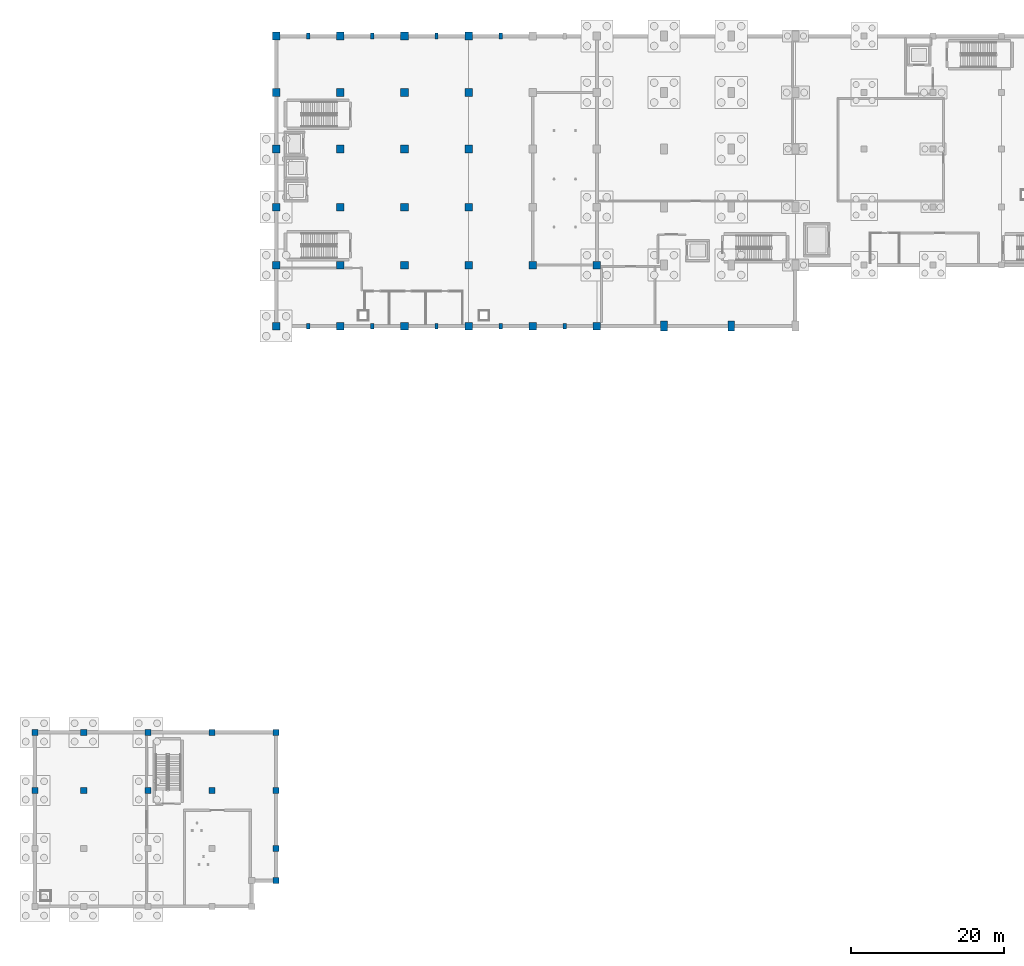
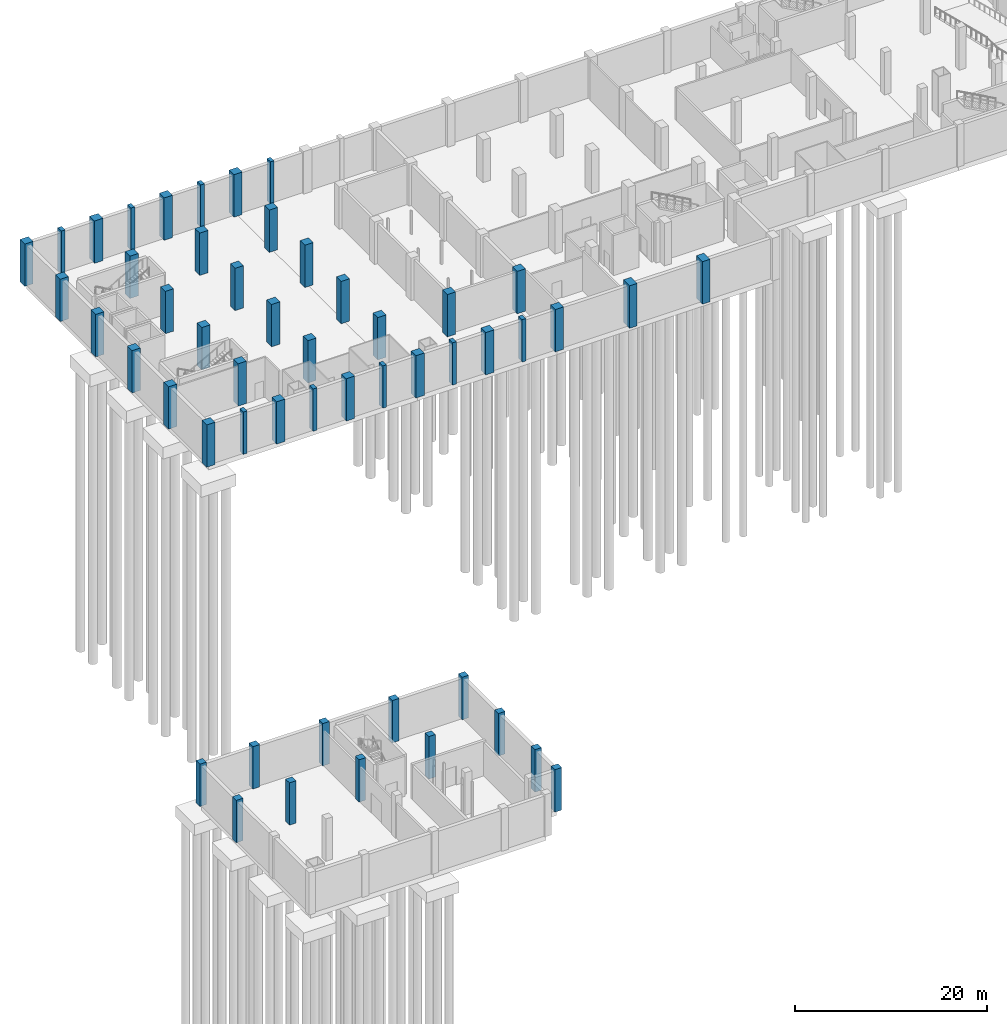
# One storey, part 3 of 20: 51 columns.
"""IFC4 building model written with IfcOpenShell, lengths in metres."""

from ifc_helpers import new_model, si_unit, direction, frame, origin, origin_2d, place, context, subcontext, project, spatial, rectangle, extrude, material, material_profile, profile_set, type_object, element, save


model = new_model("IFC4")

# Units and contexts
model_context = context("Model", 3, precision=1e-05, world=origin(), true_north=direction((0.0, 1.0)))
body_context = subcontext(model_context, "Body", "Model", "MODEL_VIEW")
ifc_project = project(units=[si_unit("LENGTHUNIT", "METRE"), si_unit("AREAUNIT", "SQUARE_METRE"), si_unit("VOLUMEUNIT", "CUBIC_METRE"), si_unit("PLANEANGLEUNIT", "RADIAN"), si_unit("MASSUNIT", "GRAM", prefix="KILO")], contexts=[model_context])

# Site, building, storey
site_placement = place(None, origin())
site = spatial("IfcSite", under=ifc_project, at=site_placement, CompositionType="ELEMENT")
building_placement = place(site_placement, origin())
building = spatial("IfcBuilding", under=site, at=building_placement, Name="Shengluoqiao Park Theatre", CompositionType="ELEMENT")
storey_placement = place(building_placement, frame((0.0, 0.0, -5.39990234375)))
storey = spatial("IfcBuildingStorey", under=building, at=storey_placement, Name="B1", CompositionType="ELEMENT", Elevation=-5.39990234375)

# Columns
ifc_material = material(Name="Concrete C50", Category="concrete")
ifc_material_profile_1 = material_profile(ifc_material, rectangle(XDim=0.449951171875, YDim=0.75, at=origin_2d()), Name="RC PILASTER 450x750")
ifc_profile_set_1 = profile_set([ifc_material_profile_1], Name="Concrete C50")
column_type_1 = type_object("IfcColumnType", Name="STR-COL-C-PIL4575", PredefinedType="PILASTER", material=ifc_profile_set_1)
for number, where, z_axis, x_axis, name in (
    (1, (48.60009765625, 76.0, 0.0), (0.0, 0.0, 1.0), (1.0, 0.0, 0.0), "B1 Column 0245"),
    (2, (48.60009765625, 114.0, 0.0), (0.0, 0.0, 1.0), (1.0, 0.0, 0.0), "B1 Column 0250"),
    (3, (57.0, 76.0, 0.0), (0.0, 0.0, 1.0), (1.0, 0.0, 0.0), "B1 Column 0293"),
    (4, (57.0, 114.0, 0.0), (0.0, 0.0, 1.0), (1.0, 0.0, 0.0), "B1 Column 0298"),
    (5, (65.39990234375, 76.0, 0.0), (0.0, 0.0, 1.0), (1.0, 0.0, 0.0), "B1 Column 0341"),
    (6, (65.39990234375, 114.0, 0.0), (0.0, 0.0, 1.0), (1.0, 0.0, 0.0), "B1 Column 0346"),
    (7, (73.800048828125, 76.0, 0.0), (0.0, 0.0, 1.0), (1.0, 0.0, 0.0), "B1 Column 0373"),
    (8, (73.800048828125, 114.0, 0.0), (0.0, 0.0, 1.0), (1.0, 0.0, 0.0), "B1 Column 0378"),
    (9, (82.199951171875, 76.0, 0.0), (0.0, 0.0, 1.0), (1.0, 0.0, 0.0), "B1 Column 0405"),
):
    element("IfcColumn", number, at=place(storey_placement, frame(where, z_axis=z_axis, x_axis=x_axis)), inside=storey, type_object=column_type_1, Name=name, PredefinedType="PILASTER", context=body_context, shape_type="SweptSolid", body=[
        extrude(rectangle(XDim=0.449951171875, YDim=0.75, at=origin_2d()), origin(), (0.0, 0.0, 1.0), 5.39990234375),
    ])
ifc_material_profile_2 = material_profile(ifc_material, rectangle(XDim=1.0, YDim=1.0, at=origin_2d()), Name="RC 1000x1000")
ifc_profile_set_2 = profile_set([ifc_material_profile_2], Name="Concrete C50")
column_type_2 = type_object("IfcColumnType", Name="STR-COL-C-RC1000", PredefinedType="COLUMN", material=ifc_profile_set_2)
for number, where, z_axis, x_axis, name in (
    (10, (44.39990234375, 76.0, 0.0), (0.0, 0.0, 1.0), (1.0, 0.0, 0.0), "B1 Column 0215"),
    (11, (44.39990234375, 84.0, 0.0), (0.0, 0.0, 1.0), (1.0, 0.0, 0.0), "B1 Column 0220"),
    (12, (44.39990234375, 91.60009765625, 0.0), (0.0, 0.0, 1.0), (1.0, 0.0, 0.0), "B1 Column 0225"),
    (13, (44.39990234375, 99.199951171875, 0.0), (0.0, 0.0, 1.0), (1.0, 0.0, 0.0), "B1 Column 0230"),
    (14, (44.39990234375, 106.60009765625, 0.0), (0.0, 0.0, 1.0), (1.0, 0.0, 0.0), "B1 Column 0235"),
    (15, (44.39990234375, 114.0, 0.0), (0.0, 0.0, 1.0), (1.0, 0.0, 0.0), "B1 Column 0240"),
    (16, (52.800048828125, 76.0, 0.0), (0.0, 0.0, 1.0), (1.0, 0.0, 0.0), "B1 Column 0263"),
    (17, (52.800048828125, 84.0, 0.0), (0.0, 0.0, 1.0), (1.0, 0.0, 0.0), "B1 Column 0268"),
    (18, (52.800048828125, 91.60009765625, 0.0), (0.0, 0.0, 1.0), (1.0, 0.0, 0.0), "B1 Column 0273"),
    (19, (52.800048828125, 99.199951171875, 0.0), (0.0, 0.0, 1.0), (1.0, 0.0, 0.0), "B1 Column 0278"),
    (20, (52.800048828125, 106.60009765625, 0.0), (0.0, 0.0, 1.0), (1.0, 0.0, 0.0), "B1 Column 0283"),
    (21, (52.800048828125, 114.0, 0.0), (0.0, 0.0, 1.0), (1.0, 0.0, 0.0), "B1 Column 0288"),
    (22, (61.199951171875, 76.0, 0.0), (0.0, 0.0, 1.0), (1.0, 0.0, 0.0), "B1 Column 0311"),
    (23, (61.199951171875, 84.0, 0.0), (0.0, 0.0, 1.0), (1.0, 0.0, 0.0), "B1 Column 0316"),
    (24, (61.199951171875, 91.60009765625, 0.0), (0.0, 0.0, 1.0), (1.0, 0.0, 0.0), "B1 Column 0321"),
    (25, (61.199951171875, 99.199951171875, 0.0), (0.0, 0.0, 1.0), (1.0, 0.0, 0.0), "B1 Column 0326"),
    (26, (61.199951171875, 106.60009765625, 0.0), (0.0, 0.0, 1.0), (1.0, 0.0, 0.0), "B1 Column 0331"),
    (27, (61.199951171875, 114.0, 0.0), (0.0, 0.0, 1.0), (1.0, 0.0, 0.0), "B1 Column 0336"),
    (28, (69.60009765625, 76.0, 0.0), (0.0, 0.0, 1.0), (1.0, 0.0, 0.0), "B1 Column 0359"),
    (29, (69.60009765625, 84.0, 0.0), (0.0, 0.0, 1.0), (1.0, 0.0, 0.0), "B1 Column 0364"),
    (30, (69.60009765625, 91.60009765625, 0.0), (0.0, 0.0, 1.0), (1.0, 0.0, 0.0), "B1 Column 0365"),
    (31, (69.60009765625, 99.199951171875, 0.0), (0.0, 0.0, 1.0), (1.0, 0.0, 0.0), "B1 Column 0366"),
    (32, (69.60009765625, 106.60009765625, 0.0), (0.0, 0.0, 1.0), (1.0, 0.0, 0.0), "B1 Column 0367"),
    (33, (69.60009765625, 114.0, 0.0), (0.0, 0.0, 1.0), (1.0, 0.0, 0.0), "B1 Column 0368"),
    (34, (78.0, 76.0, 0.0), (0.0, 0.0, 1.0), (1.0, 0.0, 0.0), "B1 Column 0391"),
    (35, (78.0, 84.0, 0.0), (0.0, 0.0, 1.0), (1.0, 0.0, 0.0), "B1 Column 0396"),
    (36, (86.39990234375, 76.0, 0.0), (0.0, 0.0, 1.0), (1.0, 0.0, 0.0), "B1 Column 0423"),
    (37, (86.39990234375, 84.0, 0.0), (0.0, 0.0, 1.0), (1.0, 0.0, 0.0), "B1 Column 0428"),
):
    element("IfcColumn", number, at=place(storey_placement, frame(where, z_axis=z_axis, x_axis=x_axis)), inside=storey, type_object=column_type_2, Name=name, PredefinedType="COLUMN", context=body_context, shape_type="SweptSolid", body=[
        extrude(rectangle(XDim=1.0, YDim=1.0, at=origin_2d()), origin(), (0.0, 0.0, 1.0), 5.39990234375),
    ])
ifc_material_profile_3 = material_profile(ifc_material, rectangle(XDim=0.800048828125, YDim=0.800048828125, at=origin_2d()), Name="RC 800x800")
ifc_profile_set_3 = profile_set([ifc_material_profile_3], Name="Concrete C50")
column_type_3 = type_object("IfcColumnType", Name="STR-COL-C-RC800", PredefinedType="COLUMN", material=ifc_profile_set_3)
for number, where, z_axis, x_axis, name in (
    (38, (12.800048828125, 15.199951171875, 0.0), (0.0, 0.0, 1.0), (1.0, 0.0, 0.0), "B1 Column 0037"),
    (39, (12.800048828125, 22.800048828125, 0.0), (0.0, 0.0, 1.0), (1.0, 0.0, 0.0), "B1 Column 0041"),
    (40, (19.199951171875, 15.199951171875, 0.0), (0.0, 0.0, 1.0), (1.0, 0.0, 0.0), "B1 Column 0072"),
    (41, (19.199951171875, 22.800048828125, 0.0), (0.0, 0.0, 1.0), (1.0, 0.0, 0.0), "B1 Column 0073"),
    (42, (27.60009765625, 15.199951171875, 0.0), (0.0, 0.0, 1.0), (1.0, 0.0, 0.0), "B1 Column 0107"),
    (43, (27.60009765625, 22.800048828125, 0.0), (0.0, 0.0, 1.0), (1.0, 0.0, 0.0), "B1 Column 0111"),
    (44, (36.0, 15.199951171875, 0.0), (0.0, 0.0, 1.0), (1.0, 0.0, 0.0), "B1 Column 0151"),
    (45, (36.0, 22.800048828125, 0.0), (0.0, 0.0, 1.0), (1.0, 0.0, 0.0), "B1 Column 0155"),
    (46, (44.39990234375, 7.60009765625, 0.0), (0.0, 0.0, 1.0), (1.0, 0.0, 0.0), "B1 Column 0191"),
    (47, (44.39990234375, 15.199951171875, 0.0), (0.0, 0.0, 1.0), (1.0, 0.0, 0.0), "B1 Column 0195"),
    (48, (44.39990234375, 22.800048828125, 0.0), (0.0, 0.0, 1.0), (1.0, 0.0, 0.0), "B1 Column 0199"),
    (49, (44.39990234375, 3.39990234375, 0.0), (0.0, 0.0, 1.0), (1.0, 0.0, 0.0), "B1 Corner Step Column 03"),
):
    element("IfcColumn", number, at=place(storey_placement, frame(where, z_axis=z_axis, x_axis=x_axis)), inside=storey, type_object=column_type_3, Name=name, PredefinedType="COLUMN", context=body_context, shape_type="SweptSolid", body=[
        extrude(rectangle(XDim=0.800048828125, YDim=0.800048828125, at=origin_2d()), origin(), (0.0, 0.0, 1.0), 5.39990234375),
    ])
ifc_material_profile_4 = material_profile(ifc_material, rectangle(XDim=0.89990234375, YDim=1.300048828125, at=origin_2d()), Name="RC 900x1300")
ifc_profile_set_4 = profile_set([ifc_material_profile_4], Name="Concrete C50")
column_type_4 = type_object("IfcColumnType", Name="STR-COL-C-RC9013", PredefinedType="COLUMN", material=ifc_profile_set_4)
for number, where, z_axis, x_axis, name in (
    (50, (95.199951171875, 76.0, 0.0), (0.0, 0.0, 1.0), (1.0, 0.0, 0.0), "B1 Column 0464"),
    (51, (104.0, 76.0, 0.0), (0.0, 0.0, 1.0), (1.0, 0.0, 0.0), "B1 Column 0498"),
):
    element("IfcColumn", number, at=place(storey_placement, frame(where, z_axis=z_axis, x_axis=x_axis)), inside=storey, type_object=column_type_4, Name=name, PredefinedType="COLUMN", context=body_context, shape_type="SweptSolid", body=[
        extrude(rectangle(XDim=0.89990234375, YDim=1.300048828125, at=origin_2d()), origin(), (0.0, 0.0, 1.0), 5.39990234375),
    ])

save(model, "model.ifc")
